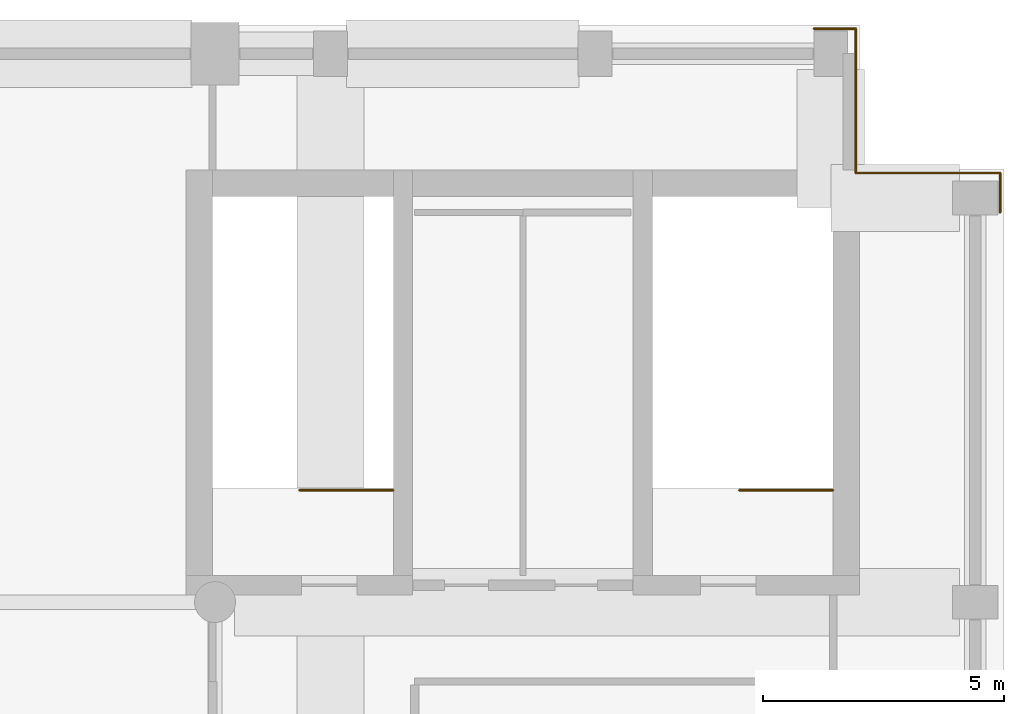
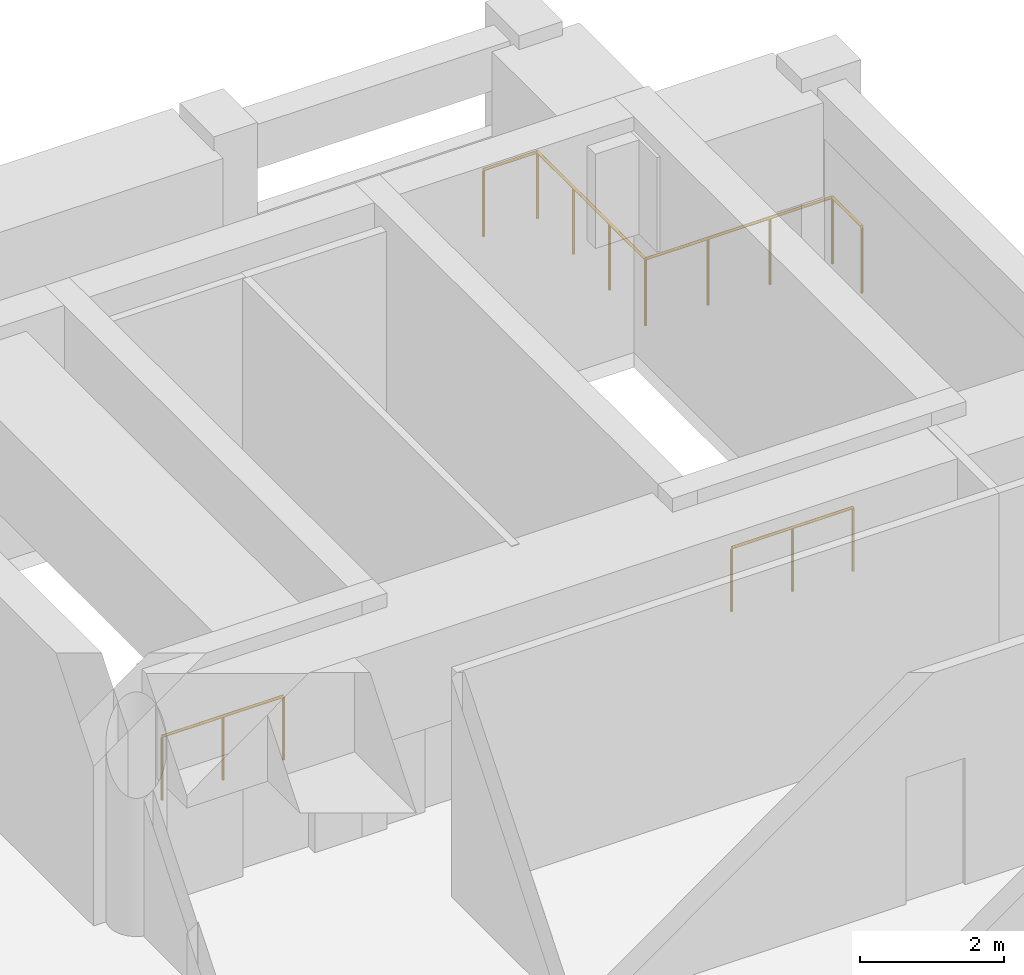
# One storey, part 14 of 14: 6 railings.
"""IFC4 building model written with IfcOpenShell, lengths in metres."""

import ifcopenshell
import ifcopenshell.guid

model = None  # the IFC model being written
_history = None  # IfcOwnerHistory: only IFC2X3 demands one
_inside = {}  # id of a spatial element -> (the spatial element, [elements in it])
_under = {}  # id of a project, library or spatial element -> (it, [spatial elements below it])
_declared = {}  # id of a project -> (the project, [libraries it declares])
_typed = {}  # id of a type object -> (the type object, [elements of that type])
_made_of = {}  # id of a material, layer set ... -> (it, [elements and type objects made of it])


def new_model(schema):
    """Start an empty IFC model of exactly this schema.

    Asked for "IFC4X3", IfcOpenShell would pick the latest addendum, in which some entities
    have other attributes; the version numbers below select the first issue.
    IFC2X3 requires an IfcOwnerHistory on every rooted entity: one is made here for all.
    """
    global model, _history
    if schema == "IFC4X3":
        model = ifcopenshell.file(schema_version=(4, 3, 0, 0))
    else:
        model = ifcopenshell.file(schema=schema)
    _inside.clear()
    _under.clear()
    _declared.clear()
    _typed.clear()
    _made_of.clear()
    _history = None
    if model.schema == "IFC2X3":
        org = make("IfcOrganization", Name="unknown")
        user = make(
            "IfcPersonAndOrganization",
            ThePerson=make("IfcPerson", FamilyName="unknown"),
            TheOrganization=org,
        )
        app = make(
            "IfcApplication",
            ApplicationDeveloper=org,
            Version="unknown",
            ApplicationFullName="unknown",
            ApplicationIdentifier="unknown",
        )
        _history = make(
            "IfcOwnerHistory",
            OwningUser=user,
            OwningApplication=app,
            ChangeAction="ADDED",
            CreationDate=0,
        )
    return model


def make(cls, **values):
    """One entity of the class cls with the attributes given. An attribute that is None is left unset."""
    return model.create_entity(
        cls, **{name: value for name, value in values.items() if value is not None}
    )


def rooted(cls, **values):
    """An entity with a GlobalId (a new one), such as an element, a storey or a relation."""
    return make(cls, GlobalId=ifcopenshell.guid.new(), OwnerHistory=_history, **values)


def si_unit(unit_type, name, prefix=None):
    """IfcSIUnit, for example si_unit("LENGTHUNIT", "METRE", prefix="MILLI")."""
    return make("IfcSIUnit", UnitType=unit_type, Prefix=prefix, Name=name)


def assignment(units):
    """IfcUnitAssignment: the units of a project."""
    return None if units is None else make("IfcUnitAssignment", Units=units)


def point(xyz):
    """IfcCartesianPoint."""
    return None if xyz is None else make("IfcCartesianPoint", Coordinates=xyz)


def direction(xyz):
    """IfcDirection."""
    return None if xyz is None else make("IfcDirection", DirectionRatios=xyz)


def frame(location, z_axis=None, x_axis=None):
    """IfcAxis2Placement3D, a coordinate frame: its origin and axes. An axis left out is left unset."""
    return make(
        "IfcAxis2Placement3D",
        Location=point(location),
        Axis=direction(z_axis),
        RefDirection=direction(x_axis),
    )


def frame_2d(location, x_axis=None):
    """IfcAxis2Placement2D, a coordinate frame in the plane: its origin and x axis."""
    return make(
        "IfcAxis2Placement2D", Location=point(location), RefDirection=direction(x_axis)
    )


def origin():
    """The frame at (0, 0, 0) with its axes left unset."""
    return frame((0.0, 0.0, 0.0))


def origin_2d():
    """The frame at (0, 0) in the plane with its x axis left unset."""
    return frame_2d((0.0, 0.0))


def place(relative_to, where):
    """IfcLocalPlacement: puts the frame where relative to a parent placement (None: the world)."""
    return make(
        "IfcLocalPlacement", PlacementRelTo=relative_to, RelativePlacement=where
    )


def context(
    kind, dimensions, precision=None, world=None, true_north=None, identifier=None
):
    """IfcGeometricRepresentationContext, for example the 3D "Model" context."""
    return make(
        "IfcGeometricRepresentationContext",
        ContextIdentifier=identifier,
        ContextType=kind,
        CoordinateSpaceDimension=dimensions,
        Precision=precision,
        WorldCoordinateSystem=world,
        TrueNorth=true_north,
    )


def subcontext(parent, identifier, kind, view, scale=None):
    """IfcGeometricRepresentationSubContext, for example "Body" below "Model"."""
    return make(
        "IfcGeometricRepresentationSubContext",
        ContextIdentifier=identifier,
        ContextType=kind,
        ParentContext=parent,
        TargetScale=scale,
        TargetView=view,
    )


def project(units=None, contexts=None):
    """IfcProject with its units and contexts."""
    return rooted(
        "IfcProject",
        Name="project",
        RepresentationContexts=contexts,
        UnitsInContext=assignment(units),
    )


def spatial(cls, under=None, at=None, **own):
    """A site, building, storey or space (cls), placed at a placement, below another one or the project."""
    s = rooted(cls, ObjectPlacement=at, **own)
    if under is not None:
        _under.setdefault(under.id(), (under, []))[1].append(s)
    return s


def profile(cls, at=None, kind="AREA", **sizes):
    """A parametric profile (cls). Its sizes go by their IFC names, for example OverallWidth=200.0."""
    return make(cls, ProfileType=kind, Position=at, **sizes)


def circle(**sizes):
    """IfcCircleProfileDef."""
    return profile("IfcCircleProfileDef", **sizes)


def extrude(swept, where, along, depth):
    """IfcExtrudedAreaSolid: the profile swept, set in the frame where, extruded along a direction by depth."""
    return make(
        "IfcExtrudedAreaSolid",
        SweptArea=swept,
        Position=where,
        ExtrudedDirection=direction(along),
        Depth=depth,
    )


def shape(context_of_items, identifier, shape_type, items):
    """IfcShapeRepresentation: the items that make up one representation, for example the "Body"."""
    return make(
        "IfcShapeRepresentation",
        ContextOfItems=context_of_items,
        RepresentationIdentifier=identifier,
        RepresentationType=shape_type,
        Items=items,
    )


def material(Name=None, Category=None):
    """IfcMaterial."""
    return make("IfcMaterial", Name=Name, Category=Category)


def made_of(thing, what):
    """Note that an element or type object is made of a material, layer set ...; save() writes the relation."""
    if what is not None:
        _made_of.setdefault(what.id(), (what, []))[1].append(thing)
    return thing


def type_object(cls, material=None, **own):
    """A type object (cls), such as IfcWallType, which elements share."""
    return made_of(rooted(cls, **own), material)


def element(
    cls,
    number,
    at=None,
    inside=None,
    cuts=None,
    type_object=None,
    material=None,
    context=None,
    identifier="Body",
    shape_type=None,
    held_by="IfcProductDefinitionShape",
    body=None,
    shapes=None,
    **own,
):
    """One element of the class cls, such as IfcWall. Its Tag is "e" and its number.

    at: its placement. inside: the storey or other place that contains it. cuts: it is an
    opening in that element (IfcRelVoidsElement). A single representation is given by context,
    identifier, shape_type and body (its items); several are given by shapes. held_by: the class
    of the entity that holds the representations. save() writes the other relations.
    """
    e = rooted(cls, Tag="e%d" % number, ObjectPlacement=at, **own)
    if body is not None:
        shapes = [shape(context, identifier, shape_type, body)]
    if shapes is not None:
        e.Representation = make(held_by, Representations=shapes)
    if inside is not None:
        _inside.setdefault(inside.id(), (inside, []))[1].append(e)
    if cuts is not None:
        rooted(
            "IfcRelVoidsElement", RelatingBuildingElement=cuts, RelatedOpeningElement=e
        )
    if type_object is not None:
        _typed.setdefault(type_object.id(), (type_object, []))[1].append(e)
    return made_of(e, material)


def aggregate(whole, parts):
    """IfcRelAggregates: a whole, such as a stair, and the parts it consists of."""
    return rooted("IfcRelAggregates", RelatingObject=whole, RelatedObjects=parts)


def save(model, path):
    """Write the relations noted so far, then the file.

    IfcRelAggregates (storeys below a building ...), IfcRelContainedInSpatialStructure (elements
    in a storey), IfcRelDefinesByType, IfcRelAssociatesMaterial and IfcRelDeclares: one each for
    every whole, place, type object, material and project.
    """
    for whole, parts in _under.values():
        aggregate(whole, parts)
    for where, things in _inside.values():
        rooted(
            "IfcRelContainedInSpatialStructure",
            RelatedElements=things,
            RelatingStructure=where,
        )
    for kind, things in _typed.values():
        rooted("IfcRelDefinesByType", RelatedObjects=things, RelatingType=kind)
    for what, things in _made_of.values():
        rooted("IfcRelAssociatesMaterial", RelatedObjects=things, RelatingMaterial=what)
    for by, libraries in _declared.values():
        rooted("IfcRelDeclares", RelatingContext=by, RelatedDefinitions=libraries)
    model.write(path)


model = new_model("IFC4")

# Units and contexts
model_context = context("Model", 3, precision=1e-05, world=origin(), true_north=direction((0.0, 1.0)))
body_context = subcontext(model_context, "Body", "Model", "MODEL_VIEW")
ifc_project = project(units=[si_unit("LENGTHUNIT", "METRE"), si_unit("AREAUNIT", "SQUARE_METRE"), si_unit("VOLUMEUNIT", "CUBIC_METRE"), si_unit("PLANEANGLEUNIT", "RADIAN"), si_unit("MASSUNIT", "GRAM", prefix="KILO")], contexts=[model_context])

# Site, building, storey
site_placement = place(None, origin())
site = spatial("IfcSite", under=ifc_project, at=site_placement, CompositionType="ELEMENT")
building_placement = place(site_placement, origin())
building = spatial("IfcBuilding", under=site, at=building_placement, Name="Sulina Concourse Tower", CompositionType="ELEMENT")
storey_placement = place(building_placement, frame((0.0, 0.0, 285.0)))
storey = spatial("IfcBuildingStorey", under=building, at=storey_placement, Name="L69", CompositionType="ELEMENT", Elevation=285.0)

# Railings
ifc_material = material(Name="Galvanised steel railing", Category="steel")
railing_type = type_object("IfcRailingType", Name="Core Stair Steel Guardrail 1150mm", PredefinedType="GUARDRAIL", material=ifc_material)
railing_1_placement = place(storey_placement, frame((54.050048828125, 45.919921875, 0.0)))
element("IfcRailing", 1, at=railing_1_placement, inside=storey, type_object=railing_type, Name="L69 perimeter edge safety guardrail NE1", PredefinedType="GUARDRAIL", context=body_context, shape_type="SweptSolid", body=[
    extrude(circle(Radius=0.02392578125, at=origin_2d()), frame((0.0, 0.0, 1.1259765625), z_axis=(1.0, 0.0, 0.0), x_axis=(0.0, 1.0, 0.0)), (0.0, 0.0, 1.0), 0.869873046875),
    extrude(circle(Radius=0.02099609375, at=origin_2d()), origin(), (0.0, 0.0, 1.0), 1.101806640625),
    extrude(circle(Radius=0.02099609375, at=origin_2d()), frame((0.869873046875, 0.0, 0.0)), (0.0, 0.0, 1.0), 1.101806640625),
])
railing_2_placement = place(storey_placement, frame((54.919921875, 45.919921875, 0.0)))
element("IfcRailing", 2, at=railing_2_placement, inside=storey, type_object=railing_type, Name="L69 perimeter edge safety guardrail NE2", PredefinedType="GUARDRAIL", context=body_context, shape_type="SweptSolid", body=[
    extrude(circle(Radius=0.02392578125, at=origin_2d()), frame((0.0, 0.0, 1.1259765625), z_axis=(0.0, -1.0, 0.0), x_axis=(1.0, 0.0, 0.0)), (0.0, 0.0, 1.0), 3.0),
    extrude(circle(Radius=0.02099609375, at=origin_2d()), origin(), (0.0, 0.0, 1.0), 1.101806640625),
    extrude(circle(Radius=0.02099609375, at=origin_2d()), frame((0.0, -1.0, 0.0)), (0.0, 0.0, 1.0), 1.101806640625),
    extrude(circle(Radius=0.02099609375, at=origin_2d()), frame((0.0, -2.0, 0.0)), (0.0, 0.0, 1.0), 1.101806640625),
    extrude(circle(Radius=0.02099609375, at=origin_2d()), frame((0.0, -3.0, 0.0)), (0.0, 0.0, 1.0), 1.101806640625),
])
railing_3_placement = place(storey_placement, frame((54.919921875, 42.919921875, 0.0)))
element("IfcRailing", 3, at=railing_3_placement, inside=storey, type_object=railing_type, Name="L69 perimeter edge safety guardrail NE3", PredefinedType="GUARDRAIL", context=body_context, shape_type="SweptSolid", body=[
    extrude(circle(Radius=0.02392578125, at=origin_2d()), frame((0.0, 0.0, 1.1259765625), z_axis=(1.0, 0.0, 0.0), x_axis=(0.0, 1.0, 0.0)), (0.0, 0.0, 1.0), 3.0),
    extrude(circle(Radius=0.02099609375, at=origin_2d()), origin(), (0.0, 0.0, 1.0), 1.101806640625),
    extrude(circle(Radius=0.02099609375, at=origin_2d()), frame((1.0, 0.0, 0.0)), (0.0, 0.0, 1.0), 1.101806640625),
    extrude(circle(Radius=0.02099609375, at=origin_2d()), frame((2.0, 0.0, 0.0)), (0.0, 0.0, 1.0), 1.101806640625),
    extrude(circle(Radius=0.02099609375, at=origin_2d()), frame((3.0, 0.0, 0.0)), (0.0, 0.0, 1.0), 1.101806640625),
])
railing_4_placement = place(storey_placement, frame((57.919921875, 42.919921875, 0.0)))
element("IfcRailing", 4, at=railing_4_placement, inside=storey, type_object=railing_type, Name="L69 perimeter edge safety guardrail NE4", PredefinedType="GUARDRAIL", context=body_context, shape_type="SweptSolid", body=[
    extrude(circle(Radius=0.02392578125, at=origin_2d()), frame((0.0, 0.0, 1.1259765625), z_axis=(0.0, -1.0, 0.0), x_axis=(1.0, 0.0, 0.0)), (0.0, 0.0, 1.0), 0.81982421875),
    extrude(circle(Radius=0.02099609375, at=origin_2d()), origin(), (0.0, 0.0, 1.0), 1.101806640625),
    extrude(circle(Radius=0.02099609375, at=origin_2d()), frame((0.0, -0.81982421875, 0.0)), (0.0, 0.0, 1.0), 1.101806640625),
])
for number, where, name in (
    (5, (45.304931640625, 36.324951171875, 0.0), "L69 ST-3 top well guard 1"),
    (6, (54.445068359375, 36.324951171875, 0.0), "L69 ST-4 top well guard 1"),
):
    element("IfcRailing", number, at=place(storey_placement, frame(where)), inside=storey, type_object=railing_type, Name=name, PredefinedType="GUARDRAIL", context=body_context, shape_type="SweptSolid", body=[
        extrude(circle(Radius=0.02392578125, at=origin_2d()), frame((0.0, 0.0, 1.076171875), z_axis=(-1.0, 0.0, 0.0), x_axis=(0.0, -1.0, 0.0)), (0.0, 0.0, 1.0), 1.949951171875),
        extrude(circle(Radius=0.02099609375, at=origin_2d()), origin(), (0.0, 0.0, 1.0), 1.052001953125),
        extrude(circle(Radius=0.02099609375, at=origin_2d()), frame((-0.97509765625, 0.0, 0.0)), (0.0, 0.0, 1.0), 1.052001953125),
        extrude(circle(Radius=0.02099609375, at=origin_2d()), frame((-1.949951171875, 0.0, 0.0)), (0.0, 0.0, 1.0), 1.052001953125),
    ])

save(model, "model.ifc")
